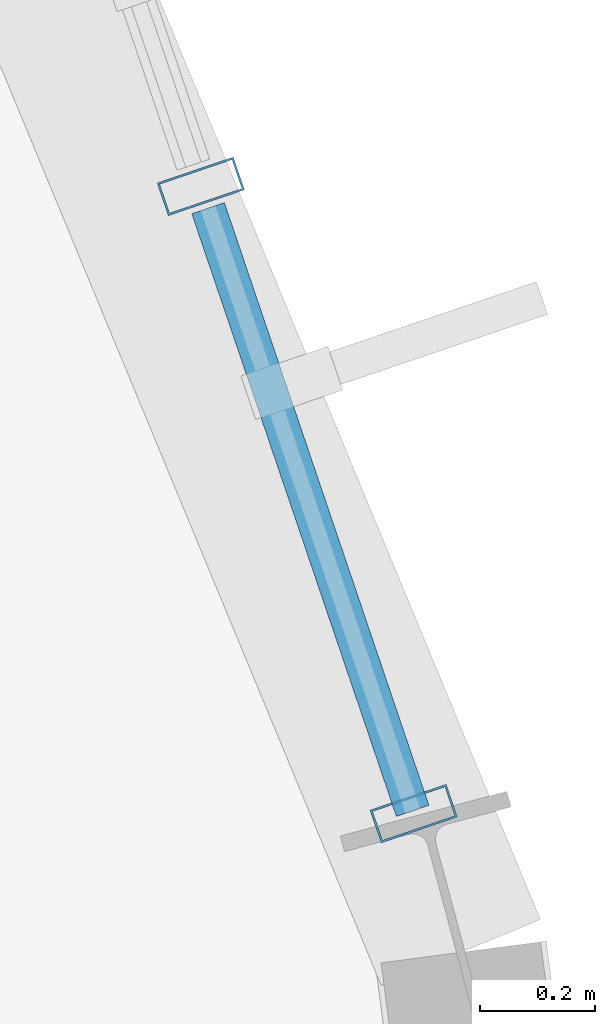
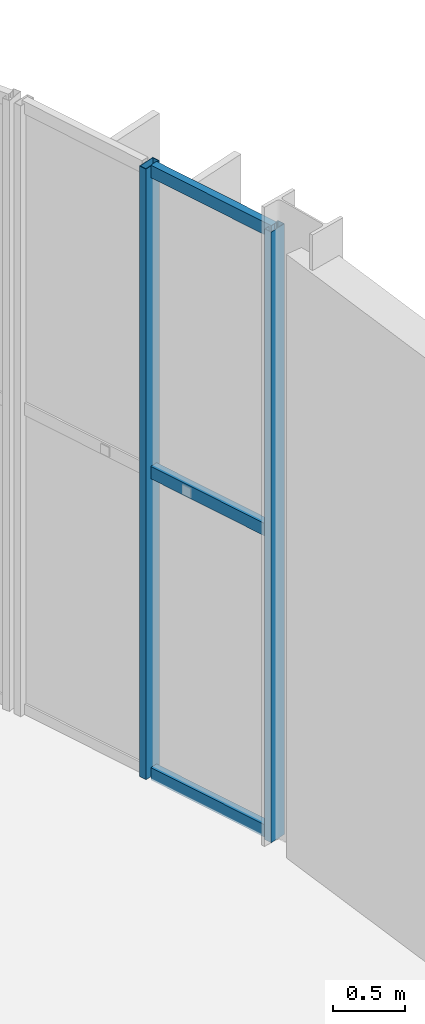
# One storey, part 74 of 158: 5 members, 1 element without a shape of its own.
"""IFC4 building model written with IfcOpenShell, lengths in metres."""

from ifc_helpers import new_model, si_unit, derived_unit, direction, frame, origin, origin_2d, place, context, subcontext, project, spatial, hollow_rectangle, extrude, material, material_profile, profile_set, type_object, element, aggregate, save


model = new_model("IFC4")

# Units and contexts
model_context = context("Model", 3, precision=1e-05, world=origin(), true_north=direction((0.0, 1.0)))
body_context = subcontext(model_context, "Body", "Model", "MODEL_VIEW")
ifc_project = project(units=[si_unit("LENGTHUNIT", "METRE"), si_unit("AREAUNIT", "SQUARE_METRE"), si_unit("VOLUMEUNIT", "CUBIC_METRE"), si_unit("PLANEANGLEUNIT", "RADIAN"), si_unit("MASSUNIT", "GRAM", prefix="KILO"), si_unit("THERMODYNAMICTEMPERATUREUNIT", "KELVIN"), si_unit("TIMEUNIT", "SECOND"), derived_unit("THERMALTRANSMITTANCEUNIT", [(si_unit("MASSUNIT", "GRAM", prefix="KILO"), 1), (si_unit("THERMODYNAMICTEMPERATUREUNIT", "KELVIN"), -1), (si_unit("TIMEUNIT", "SECOND"), -3)])], contexts=[model_context])

# Site, building, storey
site_placement = place(None, origin())
site = spatial("IfcSite", under=ifc_project, at=site_placement, CompositionType="ELEMENT")
building_placement = place(site_placement, origin())
building = spatial("IfcBuilding", under=site, at=building_placement, Name="Cambertide Market Hall", CompositionType="ELEMENT")
storey_placement = place(building_placement, origin())
storey = spatial("IfcBuildingStorey", under=building, at=storey_placement, Name="L01", CompositionType="ELEMENT", Elevation=0.0)

# Curtain wall, members
ifc_material_1 = material(Name="Marine Anodized Aluminium 6063-T6 AA25", Category="aluminium")
curtain_wall_type = type_object("IfcCurtainWallType", Name="Lantern Apse Chord Lower Curtain Wall", PredefinedType="USERDEFINED", material=ifc_material_1)
curtain_wall_placement = place(storey_placement, origin())
curtain_wall = element("IfcCurtainWall", 1, at=curtain_wall_placement, inside=storey, type_object=curtain_wall_type, Name="Level 1 Curtain Wall CW-V1AE-L01-15", ObjectType="UNITIZED CURTAIN WALL", PredefinedType="USERDEFINED")
ifc_material_2 = material(Name="Champagne Marine Anodized Aluminium 6063-T6 AA25", Category="aluminium")
ifc_material_profile_1 = material_profile(ifc_material_2, hollow_rectangle(XDim=0.06005859375, YDim=0.139892578125, WallThickness=0.00341796875, at=origin_2d()), Name="ALU MULLION 60x140")
ifc_profile_set_1 = profile_set([ifc_material_profile_1], Name="Champagne Marine Anodized Aluminium 6063-T6 AA25")
member_type_1 = type_object("IfcMemberType", Name="Curtain Wall Mullion ALU MULLION 60x140", PredefinedType="MULLION", material=ifc_profile_set_1)
member_1_placement = place(storey_placement, frame((123.865966796875, 78.509765625, 0.0), z_axis=(0.0, 0.0, 1.0), x_axis=(0.32143947831, -0.94693012508, 0.0)))
member_1 = element("IfcMember", 2, at=member_1_placement, type_object=member_type_1, Name="CW-V1AE-L01-15 Mullion 2", PredefinedType="MULLION", context=body_context, shape_type="SweptSolid", body=[
    extrude(hollow_rectangle(XDim=0.06005859375, YDim=0.139892578125, WallThickness=0.00341796875, at=origin_2d()), origin(), (0.0, 0.0, 1.0), 5.159912109375),
])
member_2_placement = place(storey_placement, frame((124.236572265625, 77.41796875, 0.0), z_axis=(0.0, 0.0, 1.0), x_axis=(0.32143947831, -0.94693012508, 0.0)))
member_2 = element("IfcMember", 3, at=member_2_placement, type_object=member_type_1, Name="CW-V1AE-L01-15 Mullion 3", PredefinedType="MULLION", context=body_context, shape_type="SweptSolid", body=[
    extrude(hollow_rectangle(XDim=0.06005859375, YDim=0.139892578125, WallThickness=0.00341796875, at=origin_2d()), origin(), (0.0, 0.0, 1.0), 5.159912109375),
])
ifc_material_3 = material(Name="Champagne Marine Anodized Aluminium 6063-T6 AA25", Category="aluminium")
ifc_material_profile_2 = material_profile(ifc_material_3, hollow_rectangle(XDim=0.06005859375, YDim=0.10498046875, WallThickness=0.0029296875, at=origin_2d()), Name="ALU TRANSOM 60x105")
ifc_profile_set_2 = profile_set([ifc_material_profile_2], Name="Champagne Marine Anodized Aluminium 6063-T6 AA25")
member_type_2 = type_object("IfcMemberType", Name="Curtain Wall Transom ALU TRANSOM 60x105", PredefinedType="USERDEFINED", material=ifc_profile_set_2)
member_3_placement = place(storey_placement, frame((123.878662109375, 78.471923828125, 0.034912109375), z_axis=(0.321444521782, -0.946928413037, 0.0), x_axis=(0.946928413037, 0.321444521782, 0.0)))
member_3 = element("IfcMember", 4, at=member_3_placement, type_object=member_type_2, Name="CW-V1AE-L01-15 Transom 1-2", ObjectType="TRANSOM", PredefinedType="USERDEFINED", context=body_context, shape_type="SweptSolid", body=[
    extrude(hollow_rectangle(XDim=0.06005859375, YDim=0.10498046875, WallThickness=0.0029296875, at=origin_2d()), origin(), (0.0, 0.0, 1.0), 1.108154296875),
])
member_4_placement = place(storey_placement, frame((123.878662109375, 78.471923828125, 2.580078125), z_axis=(0.321444521782, -0.946928413037, 0.0), x_axis=(0.946928413037, 0.321444521782, 0.0)))
member_4 = element("IfcMember", 5, at=member_4_placement, type_object=member_type_2, Name="CW-V1AE-L01-15 Transom 2-2", ObjectType="TRANSOM", PredefinedType="USERDEFINED", context=body_context, shape_type="SweptSolid", body=[
    extrude(hollow_rectangle(XDim=0.06005859375, YDim=0.10498046875, WallThickness=0.0029296875, at=origin_2d()), origin(), (0.0, 0.0, 1.0), 1.108154296875),
])
member_5_placement = place(storey_placement, frame((123.878662109375, 78.471923828125, 5.125), z_axis=(0.321444521782, -0.946928413037, 0.0), x_axis=(0.946928413037, 0.321444521782, 0.0)))
member_5 = element("IfcMember", 6, at=member_5_placement, type_object=member_type_2, Name="CW-V1AE-L01-15 Transom 3-2", ObjectType="TRANSOM", PredefinedType="USERDEFINED", context=body_context, shape_type="SweptSolid", body=[
    extrude(hollow_rectangle(XDim=0.06005859375, YDim=0.10498046875, WallThickness=0.0029296875, at=origin_2d()), origin(), (0.0, 0.0, 1.0), 1.108154296875),
])
aggregate(curtain_wall, [member_1, member_2, member_3, member_4, member_5])

save(model, "model.ifc")
